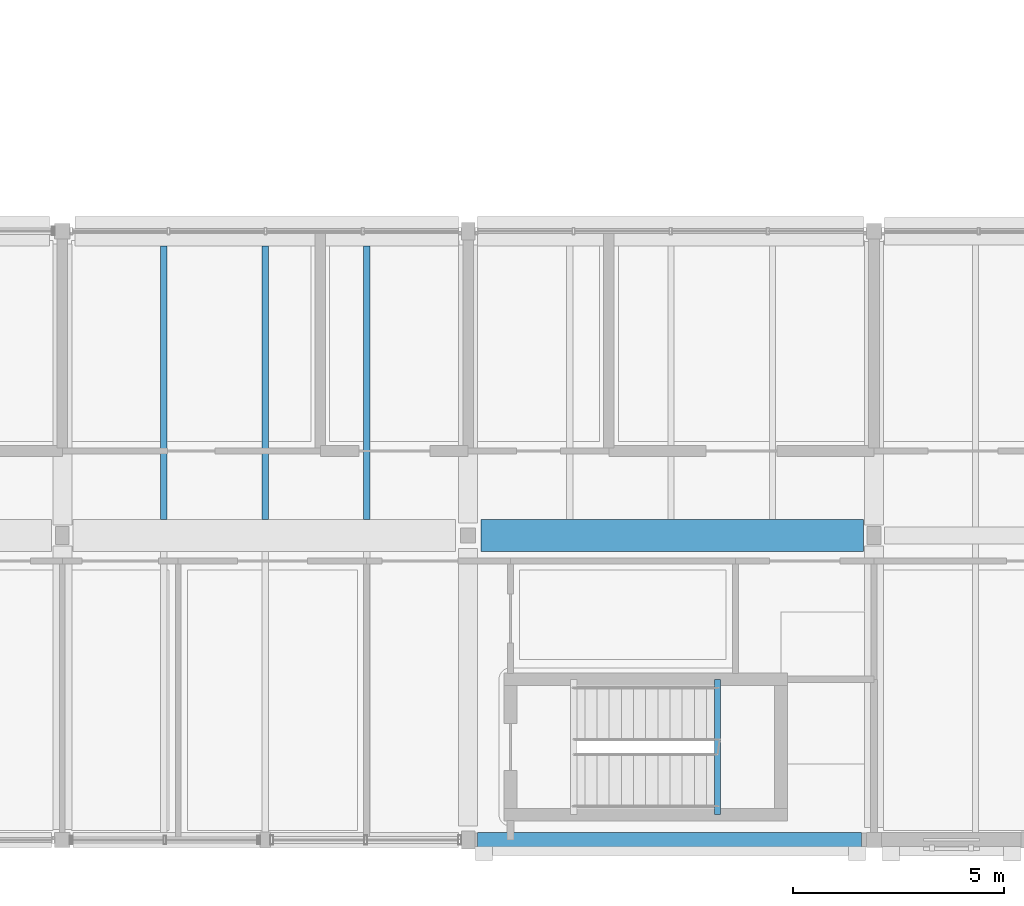
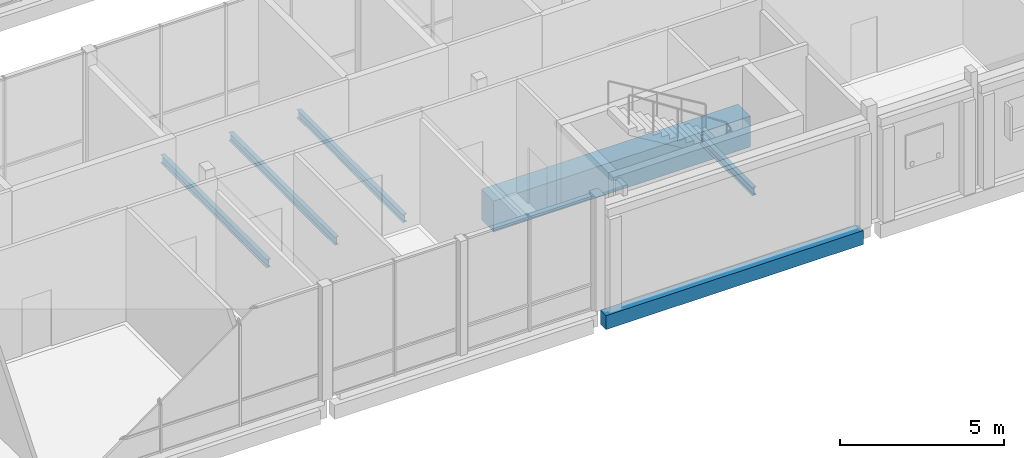
# One storey, part 61 of 146: 6 beams.
"""IFC4 building model written with IfcOpenShell, lengths in metres."""

from ifc_helpers import new_model, si_unit, direction, frame, origin, origin_2d, place, context, subcontext, project, spatial, rectangle, i_section, extrude, material, material_profile, profile_set, type_object, element, save


model = new_model("IFC4")

# Units and contexts
model_context = context("Model", 3, precision=1e-05, world=origin(), true_north=direction((0.0, 1.0)))
body_context = subcontext(model_context, "Body", "Model", "MODEL_VIEW")
ifc_project = project(units=[si_unit("LENGTHUNIT", "METRE"), si_unit("AREAUNIT", "SQUARE_METRE"), si_unit("VOLUMEUNIT", "CUBIC_METRE"), si_unit("PLANEANGLEUNIT", "RADIAN"), si_unit("MASSUNIT", "GRAM", prefix="KILO")], contexts=[model_context])

# Site, building, storey
site_placement = place(None, origin())
site = spatial("IfcSite", under=ifc_project, at=site_placement, CompositionType="ELEMENT")
building_placement = place(site_placement, origin())
building = spatial("IfcBuilding", under=site, at=building_placement, Name="Hawrajan Terrace Health Centre", CompositionType="ELEMENT")
storey_placement = place(building_placement, frame((0.0, 0.0, 4.5)))
storey = spatial("IfcBuildingStorey", under=building, at=storey_placement, Name="L01", CompositionType="ELEMENT", Elevation=4.5)

# Beams
ifc_material_1 = material(Name="Concrete C40/50", Category="concrete")
ifc_material_profile_1 = material_profile(ifc_material_1, rectangle(XDim=0.35009765625, YDim=0.52001953125, at=origin_2d()), Name="RC SP 350x520")
ifc_profile_set_1 = profile_set([ifc_material_profile_1], Name="Concrete C40/50")
beam_type_1 = type_object("IfcBeamType", Name="RCSpandrel_350x520", PredefinedType="SPANDREL", material=ifc_profile_set_1)
beam_1_placement = place(storey_placement, frame((91.22509765625, 4.199951171875, -0.56005859375), z_axis=(1.0, 0.0, 0.0), x_axis=(0.0, 1.0, 0.0)))
element("IfcBeam", 1, at=beam_1_placement, inside=storey, type_object=beam_type_1, Name="Beam BM-X-L01-C-12-Y1", PredefinedType="SPANDREL", context=body_context, shape_type="SweptSolid", body=[
    extrude(rectangle(XDim=0.35009765625, YDim=0.52001953125, at=origin_2d()), origin(), (0.0, 0.0, 1.0), 9.074951171875),
])
ifc_material_profile_2 = material_profile(ifc_material_1, rectangle(XDim=0.75, YDim=1.14990234375, at=origin_2d()), Name="RC TG 750x1150")
ifc_profile_set_2 = profile_set([ifc_material_profile_2], Name="Concrete C40/50")
beam_type_2 = type_object("IfcBeamType", Name="RCTransferGirder_750x1150", PredefinedType="BEAM", material=ifc_profile_set_2)
beam_2_placement = place(storey_placement, frame((91.300048828125, 11.39990234375, -0.875), z_axis=(1.0, 0.0, 0.0), x_axis=(0.0, 1.0, 0.0)))
element("IfcBeam", 2, at=beam_2_placement, inside=storey, type_object=beam_type_2, Name="Beam BM-X-L01-C-12-Y2", PredefinedType="BEAM", context=body_context, shape_type="SweptSolid", body=[
    extrude(rectangle(XDim=0.75, YDim=1.14990234375, at=origin_2d()), origin(), (0.0, 0.0, 1.0), 9.050048828125),
])
ifc_material_2 = material(Name="Steel S355", Category="steel")
ifc_material_profile_3 = material_profile(ifc_material_2, i_section(OverallWidth=0.14990234375, OverallDepth=0.300048828125, WebThickness=0.007080078125, FlangeThickness=0.0107421875, FilletRadius=0.014892578125, at=origin_2d()), Name="IPE 300")
ifc_profile_set_3 = profile_set([ifc_material_profile_3], Name="Steel S355")
beam_type_3 = type_object("IfcBeamType", Name="SteelBeam_IPE300", PredefinedType="JOIST", material=ifc_profile_set_3)
for number, where, z_axis, x_axis, name in (
    (3, (83.800048828125, 11.77490234375, -0.449951171875), (0.0, 1.0, 0.0), (-1.0, 0.0, 0.0), "Secondary joist JST-L01-C-11-2-1"),
    (4, (86.199951171875, 11.77490234375, -0.449951171875), (0.0, 1.0, 0.0), (-1.0, 0.0, 0.0), "Secondary joist JST-L01-C-11-2-2"),
    (5, (88.60009765625, 11.77490234375, -0.449951171875), (0.0, 1.0, 0.0), (-1.0, 0.0, 0.0), "Secondary joist JST-L01-C-11-2-3"),
):
    element("IfcBeam", number, at=place(storey_placement, frame(where, z_axis=z_axis, x_axis=x_axis)), inside=storey, type_object=beam_type_3, Name=name, PredefinedType="JOIST", context=body_context, shape_type="SweptSolid", body=[
        extrude(i_section(OverallWidth=0.14990234375, OverallDepth=0.300048828125, WebThickness=0.007080078125, FlangeThickness=0.0107421875, FilletRadius=0.014892578125, at=origin_2d()), origin(), (0.0, 0.0, 1.0), 6.47509765625),
    ])
beam_3_placement = place(storey_placement, frame((96.89990234375, 4.800048828125, 1.8798828125), z_axis=(0.0, 1.0, 0.0), x_axis=(-1.0, 0.0, 0.0)))
element("IfcBeam", 6, at=beam_3_placement, inside=storey, type_object=beam_type_3, Name="Stair half-landing trimmer ST-5-L01-B1", PredefinedType="JOIST", context=body_context, shape_type="SweptSolid", body=[
    extrude(i_section(OverallWidth=0.14990234375, OverallDepth=0.300048828125, WebThickness=0.007080078125, FlangeThickness=0.0107421875, FilletRadius=0.014892578125, at=origin_2d()), origin(), (0.0, 0.0, 1.0), 3.199951171875),
])

save(model, "model.ifc")
